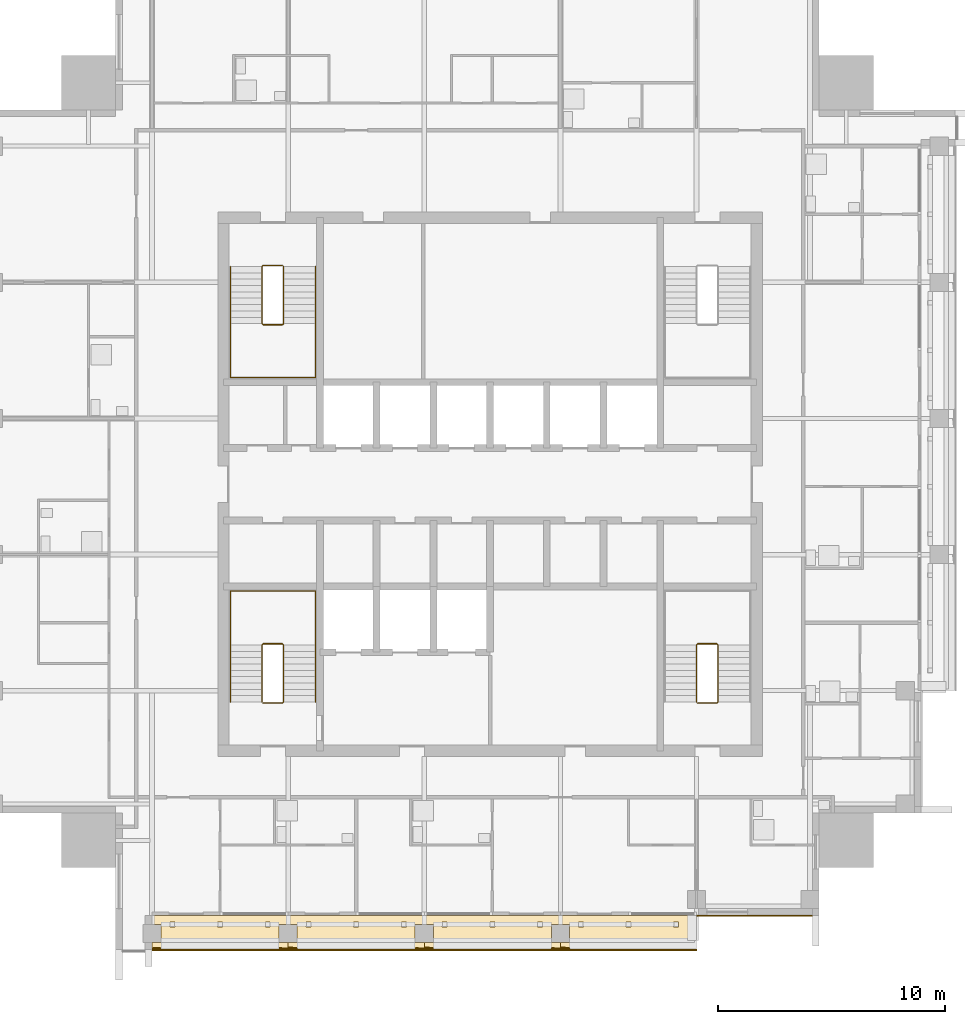
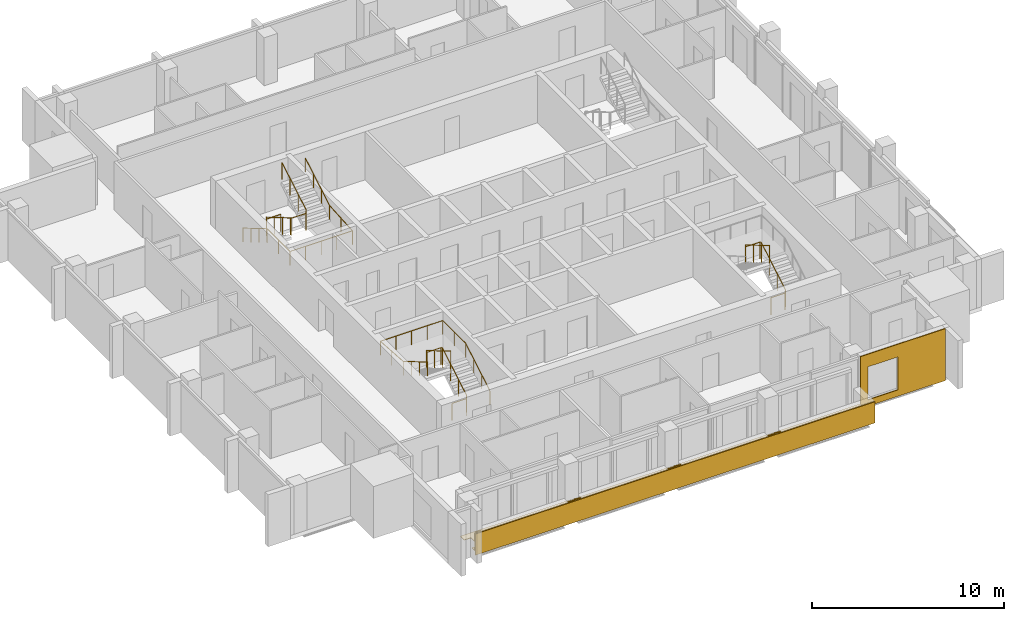
# One storey, part 13 of 15: 12 railings, 6 coverings.
"""IFC4 building model written with IfcOpenShell, lengths in metres."""

from ifc_helpers import new_model, si_unit, direction, frame, origin, origin_2d, place, context, subcontext, project, spatial, polyline, circle, outline, extrude, material, layer, layer_set, type_object, element, save


model = new_model("IFC4")

# Units and contexts
model_context = context("Model", 3, precision=1e-05, world=origin(), true_north=direction((0.0, 1.0)))
body_context = subcontext(model_context, "Body", "Model", "MODEL_VIEW")
ifc_project = project(units=[si_unit("LENGTHUNIT", "METRE"), si_unit("AREAUNIT", "SQUARE_METRE"), si_unit("VOLUMEUNIT", "CUBIC_METRE"), si_unit("PLANEANGLEUNIT", "RADIAN"), si_unit("MASSUNIT", "GRAM", prefix="KILO")], contexts=[model_context])

# Site, building, storey
site_placement = place(None, origin())
site = spatial("IfcSite", under=ifc_project, at=site_placement, CompositionType="ELEMENT")
building_placement = place(site_placement, origin())
building = spatial("IfcBuilding", under=site, at=building_placement, Name="Amberfall Residences", CompositionType="ELEMENT")
storey_placement = place(building_placement, frame((0.0, 0.0, 268.60009765625)))
storey = spatial("IfcBuildingStorey", under=building, at=storey_placement, Name="L72", CompositionType="ELEMENT", Elevation=268.60009765625)

# Coverings
ifc_material_1 = material(Name="Pale limestone cladding", Category="masonry")
ifc_layer_1 = layer(ifc_material_1, 0.050048828125)
ifc_layer_set_1 = layer_set([ifc_layer_1], Name="Limestone fascia 50")
covering_type_1 = type_object("IfcCoveringType", Name="Limestone fascia 50", PredefinedType="CLADDING", material=ifc_layer_set_1)
covering_1_placement = place(storey_placement, frame((0.0, 0.0, -0.25)))
element("IfcCovering", 1, at=covering_1_placement, inside=storey, type_object=covering_type_1, Name="Limestone terrace fascia L72 S1", PredefinedType="CLADDING", context=body_context, shape_type="SweptSolid", body=[
    extrude(outline(polyline([(59.60009765625, 25.0), (83.60009765625, 25.0), (83.60009765625, 24.949951171875), (59.60009765625, 24.949951171875), (59.60009765625, 25.0)])), origin(), (0.0, 0.0, 1.0), 1.349853515625),
])
covering_2_placement = place(storey_placement, frame((83.60009765625, 26.5, 3.0498046875), z_axis=(0.0, 1.0, 0.0), x_axis=(1.0, 0.0, 0.0)))
element("IfcCovering", 2, at=covering_2_placement, inside=storey, type_object=covering_type_1, Name="Pale limestone cladding L72 S", PredefinedType="CLADDING", context=body_context, shape_type="SweptSolid", body=[
    extrude(outline(polyline([(0.0, 0.0), (5.099853515625, 0.0), (5.099853515625, 3.2998046875), (0.0, 3.2998046875), (0.0, 0.0)]), holes=[polyline([(0.449951171875, 0.7998046875), (2.25, 0.7998046875), (2.25, 2.89990234375), (0.449951171875, 2.89990234375), (0.449951171875, 0.7998046875)])]), origin(), (0.0, 0.0, -1.0), 0.050048828125),
])
ifc_material_2 = material(Name="Pale stone paving", Category="masonry")
ifc_layer_2 = layer(ifc_material_2, 0.030029296875)
ifc_layer_set_2 = layer_set([ifc_layer_2], Name="Pale stone paving 30")
covering_type_2 = type_object("IfcCoveringType", Name="Pale stone paving 30", PredefinedType="FLOORING", material=ifc_layer_set_2)
covering_3_placement = place(storey_placement, origin())
element("IfcCovering", 3, at=covering_3_placement, inside=storey, type_object=covering_type_2, Name="Pale stone paving L72 S1", PredefinedType="FLOORING", context=body_context, shape_type="SweptSolid", body=[
    extrude(outline(polyline([(65.60009765625, 25.0), (65.60009765625, 25.300048828125), (65.199951171875, 25.300048828125), (65.199951171875, 26.10009765625), (65.60009765625, 26.10009765625), (65.60009765625, 26.5), (59.60009765625, 26.5), (59.60009765625, 26.10009765625), (60.0, 26.10009765625), (60.0, 25.300048828125), (59.60009765625, 25.300048828125), (59.60009765625, 25.0), (65.60009765625, 25.0)]), holes=[polyline([(60.389892578125, 25.989990234375), (60.610107421875, 25.989990234375), (60.610107421875, 26.2099609375), (60.389892578125, 26.2099609375), (60.389892578125, 25.989990234375)]), polyline([(62.489990234375, 25.989990234375), (62.7099609375, 25.989990234375), (62.7099609375, 26.2099609375), (62.489990234375, 26.2099609375), (62.489990234375, 25.989990234375)]), polyline([(64.590087890625, 25.989990234375), (64.81005859375, 25.989990234375), (64.81005859375, 26.2099609375), (64.590087890625, 26.2099609375), (64.590087890625, 25.989990234375)])]), origin(), (0.0, 0.0, 1.0), 0.02978515625),
])
covering_4_placement = place(storey_placement, origin())
element("IfcCovering", 4, at=covering_4_placement, inside=storey, type_object=covering_type_2, Name="Pale stone paving L72 S2", PredefinedType="FLOORING", context=body_context, shape_type="SweptSolid", body=[
    extrude(outline(polyline([(71.60009765625, 25.0), (71.60009765625, 25.300048828125), (71.199951171875, 25.300048828125), (71.199951171875, 26.10009765625), (71.60009765625, 26.10009765625), (71.60009765625, 26.5), (65.60009765625, 26.5), (65.60009765625, 26.10009765625), (66.0, 26.10009765625), (66.0, 25.300048828125), (65.60009765625, 25.300048828125), (65.60009765625, 25.0), (71.60009765625, 25.0)]), holes=[polyline([(66.389892578125, 25.989990234375), (66.610107421875, 25.989990234375), (66.610107421875, 26.2099609375), (66.389892578125, 26.2099609375), (66.389892578125, 25.989990234375)]), polyline([(68.489990234375, 25.989990234375), (68.7099609375, 25.989990234375), (68.7099609375, 26.2099609375), (68.489990234375, 26.2099609375), (68.489990234375, 25.989990234375)]), polyline([(70.590087890625, 25.989990234375), (70.81005859375, 25.989990234375), (70.81005859375, 26.2099609375), (70.590087890625, 26.2099609375), (70.590087890625, 25.989990234375)])]), origin(), (0.0, 0.0, 1.0), 0.02978515625),
])
covering_5_placement = place(storey_placement, origin())
element("IfcCovering", 5, at=covering_5_placement, inside=storey, type_object=covering_type_2, Name="Pale stone paving L72 S3", PredefinedType="FLOORING", context=body_context, shape_type="SweptSolid", body=[
    extrude(outline(polyline([(77.60009765625, 25.0), (77.60009765625, 25.300048828125), (77.199951171875, 25.300048828125), (77.199951171875, 26.10009765625), (77.60009765625, 26.10009765625), (77.60009765625, 26.5), (71.60009765625, 26.5), (71.60009765625, 26.10009765625), (72.0, 26.10009765625), (72.0, 25.300048828125), (71.60009765625, 25.300048828125), (71.60009765625, 25.0), (77.60009765625, 25.0)]), holes=[polyline([(72.389892578125, 25.989990234375), (72.610107421875, 25.989990234375), (72.610107421875, 26.2099609375), (72.389892578125, 26.2099609375), (72.389892578125, 25.989990234375)]), polyline([(74.489990234375, 25.989990234375), (74.7099609375, 25.989990234375), (74.7099609375, 26.2099609375), (74.489990234375, 26.2099609375), (74.489990234375, 25.989990234375)]), polyline([(76.590087890625, 25.989990234375), (76.81005859375, 25.989990234375), (76.81005859375, 26.2099609375), (76.590087890625, 26.2099609375), (76.590087890625, 25.989990234375)])]), origin(), (0.0, 0.0, 1.0), 0.02978515625),
])
covering_6_placement = place(storey_placement, origin())
element("IfcCovering", 6, at=covering_6_placement, inside=storey, type_object=covering_type_2, Name="Pale stone paving L72 S4", PredefinedType="FLOORING", context=body_context, shape_type="SweptSolid", body=[
    extrude(outline(polyline([(77.60009765625, 26.5), (77.60009765625, 26.10009765625), (78.0, 26.10009765625), (78.0, 25.300048828125), (77.60009765625, 25.300048828125), (77.60009765625, 25.0), (83.60009765625, 25.0), (83.60009765625, 26.5), (77.60009765625, 26.5)]), holes=[polyline([(78.389892578125, 25.989990234375), (78.610107421875, 25.989990234375), (78.610107421875, 26.2099609375), (78.389892578125, 26.2099609375), (78.389892578125, 25.989990234375)]), polyline([(80.489990234375, 25.989990234375), (80.7099609375, 25.989990234375), (80.7099609375, 26.2099609375), (80.489990234375, 26.2099609375), (80.489990234375, 25.989990234375)]), polyline([(82.590087890625, 25.989990234375), (82.81005859375, 25.989990234375), (82.81005859375, 26.2099609375), (82.590087890625, 26.2099609375), (82.590087890625, 25.989990234375)])]), origin(), (0.0, 0.0, 1.0), 0.02978515625),
])

# Railings
ifc_material_3 = material(Name="Stainless steel 316", Category="steel")
railing_type_1 = type_object("IfcRailingType", Name="Stair guard 1100", PredefinedType="GUARDRAIL", material=ifc_material_3)
railing_1_placement = place(storey_placement, frame((64.5, 35.85009765625, 0.0)))
element("IfcRailing", 7, at=railing_1_placement, inside=storey, type_object=railing_type_1, Name="L72 stair 1 guard", PredefinedType="GUARDRAIL", context=body_context, shape_type="SweptSolid", body=[
    extrude(circle(Radius=0.02392578125, at=origin_2d()), frame((0.0, 0.0, 1.076171875), z_axis=(1.0, 0.0, 0.0), x_axis=(0.0, 1.0, 0.0)), (0.0, 0.0, 1.0), 0.85009765625),
    extrude(circle(Radius=0.02392578125, at=origin_2d()), frame((0.85009765625, 0.0, 1.076171875), z_axis=(0.277903107438, 0.277903107438, 0.919532340787), x_axis=(-0.707106781187, 0.707106781187, 0.0)), (0.0, 0.0, 1.0), 0.17919921875),
    extrude(circle(Radius=0.02392578125, at=origin_2d()), frame((0.89990234375, 0.0498046875, 1.24072265625), z_axis=(0.0, 0.86152411907, 0.507716645641), x_axis=(-1.0, 0.0, 0.0)), (0.0, 0.0, 1.0), 2.925048828125),
    extrude(circle(Radius=0.02392578125, at=origin_2d()), frame((0.89990234375, 2.56982421875, 2.72607421875), z_axis=(-0.705375805398, 0.708833529934, 0.0), x_axis=(-0.708833529934, -0.705375805398, 0.0)), (0.0, 0.0, 1.0), 0.070556640625),
    extrude(circle(Radius=0.02392578125, at=origin_2d()), frame((0.85009765625, 2.619873046875, 2.72607421875), z_axis=(-1.0, 0.0, 0.0), x_axis=(0.0, -1.0, 0.0)), (0.0, 0.0, 1.0), 0.85009765625),
    extrude(circle(Radius=0.02392578125, at=origin_2d()), frame((0.0, 2.619873046875, 2.72607421875), z_axis=(-0.278705021027, -0.278705021027, 0.919046801044), x_axis=(0.707106781187, -0.707106781187, 0.0)), (0.0, 0.0, 1.0), 0.1796875),
    extrude(circle(Radius=0.02392578125, at=origin_2d()), frame((-0.050048828125, 2.56982421875, 2.89111328125), z_axis=(0.0, -0.861560626758, 0.507654692109), x_axis=(1.0, 0.0, 0.0)), (0.0, 0.0, 1.0), 2.925048828125),
    extrude(circle(Radius=0.02099609375, at=origin_2d()), origin(), (0.0, 0.0, 1.0), 1.052001953125),
    extrude(circle(Radius=0.02099609375, at=origin_2d()), frame((0.85009765625, 0.0, 0.0)), (0.0, 0.0, 1.0), 1.052001953125),
    extrude(circle(Radius=0.02099609375, at=origin_2d()), frame((0.89990234375, 0.0498046875, 0.164794921875)), (0.0, 0.0, 1.0), 1.052001953125),
    extrude(circle(Radius=0.02099609375, at=origin_2d()), frame((0.89990234375, 0.889892578125, 0.659912109375)), (0.0, 0.0, 1.0), 1.052001953125),
    extrude(circle(Radius=0.02099609375, at=origin_2d()), frame((0.89990234375, 1.729736328125, 1.15478515625)), (0.0, 0.0, 1.0), 1.052001953125),
    extrude(circle(Radius=0.02099609375, at=origin_2d()), frame((0.89990234375, 2.56982421875, 1.64990234375)), (0.0, 0.0, 1.0), 1.052001953125),
    extrude(circle(Radius=0.02099609375, at=origin_2d()), frame((0.85009765625, 2.619873046875, 1.64990234375)), (0.0, 0.0, 1.0), 1.052001953125),
    extrude(circle(Radius=0.02099609375, at=origin_2d()), frame((0.0, 2.619873046875, 1.64990234375)), (0.0, 0.0, 1.0), 1.052001953125),
    extrude(circle(Radius=0.02099609375, at=origin_2d()), frame((-0.050048828125, 2.56982421875, 1.81494140625)), (0.0, 0.0, 1.0), 1.052001953125),
    extrude(circle(Radius=0.02099609375, at=origin_2d()), frame((-0.050048828125, 1.729736328125, 2.309814453125)), (0.0, 0.0, 1.0), 1.052001953125),
    extrude(circle(Radius=0.02099609375, at=origin_2d()), frame((-0.050048828125, 0.889892578125, 2.804931640625)), (0.0, 0.0, 1.0), 1.052001953125),
    extrude(circle(Radius=0.02099609375, at=origin_2d()), frame((-0.050048828125, 0.0498046875, 3.2998046875)), (0.0, 0.0, 1.0), 1.052001953125),
])
railing_2_placement = place(storey_placement, frame((83.64990234375, 35.85009765625, 0.0)))
element("IfcRailing", 8, at=railing_2_placement, inside=storey, type_object=railing_type_1, Name="L72 stair 2 guard", PredefinedType="GUARDRAIL", context=body_context, shape_type="SweptSolid", body=[
    extrude(circle(Radius=0.02392578125, at=origin_2d()), frame((0.0, 0.0, 1.076171875), z_axis=(1.0, 0.0, 0.0), x_axis=(0.0, 1.0, 0.0)), (0.0, 0.0, 1.0), 0.85009765625),
    extrude(circle(Radius=0.02392578125, at=origin_2d()), frame((0.85009765625, 0.0, 1.076171875), z_axis=(0.279159454702, 0.277797701265, 0.919183570361), x_axis=(-0.705375805398, 0.708833529934, 0.0)), (0.0, 0.0, 1.0), 0.17919921875),
    extrude(circle(Radius=0.02392578125, at=origin_2d()), frame((0.900146484375, 0.0498046875, 1.24072265625), z_axis=(0.0, 0.86152411907, 0.507716645641), x_axis=(-1.0, 0.0, 0.0)), (0.0, 0.0, 1.0), 2.925048828125),
    extrude(circle(Radius=0.02392578125, at=origin_2d()), frame((0.900146484375, 2.56982421875, 2.72607421875), z_axis=(-0.707106781187, 0.707106781187, 0.0), x_axis=(-0.707106781187, -0.707106781187, 0.0)), (0.0, 0.0, 1.0), 0.07080078125),
    extrude(circle(Radius=0.02392578125, at=origin_2d()), frame((0.85009765625, 2.619873046875, 2.72607421875), z_axis=(-1.0, 0.0, 0.0), x_axis=(0.0, -1.0, 0.0)), (0.0, 0.0, 1.0), 0.85009765625),
    extrude(circle(Radius=0.02392578125, at=origin_2d()), frame((0.0, 2.619873046875, 2.72607421875), z_axis=(-0.277450376394, -0.278810427259, 0.919394384522), x_axis=(0.708833529934, -0.705375805398, 0.0)), (0.0, 0.0, 1.0), 0.179443359375),
    extrude(circle(Radius=0.02392578125, at=origin_2d()), frame((-0.0498046875, 2.56982421875, 2.89111328125), z_axis=(0.0, -0.861560626758, 0.507654692109), x_axis=(1.0, 0.0, 0.0)), (0.0, 0.0, 1.0), 2.925048828125),
    extrude(circle(Radius=0.02099609375, at=origin_2d()), origin(), (0.0, 0.0, 1.0), 1.052001953125),
    extrude(circle(Radius=0.02099609375, at=origin_2d()), frame((0.85009765625, 0.0, 0.0)), (0.0, 0.0, 1.0), 1.052001953125),
    extrude(circle(Radius=0.02099609375, at=origin_2d()), frame((0.900146484375, 0.0498046875, 0.164794921875)), (0.0, 0.0, 1.0), 1.052001953125),
    extrude(circle(Radius=0.02099609375, at=origin_2d()), frame((0.900146484375, 0.889892578125, 0.659912109375)), (0.0, 0.0, 1.0), 1.052001953125),
    extrude(circle(Radius=0.02099609375, at=origin_2d()), frame((0.900146484375, 1.729736328125, 1.15478515625)), (0.0, 0.0, 1.0), 1.052001953125),
    extrude(circle(Radius=0.02099609375, at=origin_2d()), frame((0.900146484375, 2.56982421875, 1.64990234375)), (0.0, 0.0, 1.0), 1.052001953125),
    extrude(circle(Radius=0.02099609375, at=origin_2d()), frame((0.85009765625, 2.619873046875, 1.64990234375)), (0.0, 0.0, 1.0), 1.052001953125),
    extrude(circle(Radius=0.02099609375, at=origin_2d()), frame((0.0, 2.619873046875, 1.64990234375)), (0.0, 0.0, 1.0), 1.052001953125),
    extrude(circle(Radius=0.02099609375, at=origin_2d()), frame((-0.0498046875, 2.56982421875, 1.81494140625)), (0.0, 0.0, 1.0), 1.052001953125),
    extrude(circle(Radius=0.02099609375, at=origin_2d()), frame((-0.0498046875, 1.729736328125, 2.309814453125)), (0.0, 0.0, 1.0), 1.052001953125),
    extrude(circle(Radius=0.02099609375, at=origin_2d()), frame((-0.0498046875, 0.889892578125, 2.804931640625)), (0.0, 0.0, 1.0), 1.052001953125),
    extrude(circle(Radius=0.02099609375, at=origin_2d()), frame((-0.0498046875, 0.0498046875, 3.2998046875)), (0.0, 0.0, 1.0), 1.052001953125),
])
railing_3_placement = place(storey_placement, frame((65.35009765625, 55.14990234375, 0.0)))
element("IfcRailing", 9, at=railing_3_placement, inside=storey, type_object=railing_type_1, Name="L72 stair 4 guard", PredefinedType="GUARDRAIL", context=body_context, shape_type="SweptSolid", body=[
    extrude(circle(Radius=0.02392578125, at=origin_2d()), frame((0.0, 0.0, 1.076171875), z_axis=(-1.0, 0.0, 0.0), x_axis=(0.0, -1.0, 0.0)), (0.0, 0.0, 1.0), 0.85009765625),
    extrude(circle(Radius=0.02392578125, at=origin_2d()), frame((-0.85009765625, 0.0, 1.076171875), z_axis=(-0.279159454702, -0.277797701265, 0.919183570361), x_axis=(0.705375805398, -0.708833529934, 0.0)), (0.0, 0.0, 1.0), 0.17919921875),
    extrude(circle(Radius=0.02392578125, at=origin_2d()), frame((-0.900146484375, -0.0498046875, 1.24072265625), z_axis=(0.0, -0.86152411907, 0.507716645641), x_axis=(1.0, 0.0, 0.0)), (0.0, 0.0, 1.0), 2.925048828125),
    extrude(circle(Radius=0.02392578125, at=origin_2d()), frame((-0.900146484375, -2.56982421875, 2.72607421875), z_axis=(0.707106781187, -0.707106781187, 0.0), x_axis=(0.707106781187, 0.707106781187, 0.0)), (0.0, 0.0, 1.0), 0.07080078125),
    extrude(circle(Radius=0.02392578125, at=origin_2d()), frame((-0.85009765625, -2.619873046875, 2.72607421875), z_axis=(1.0, 0.0, 0.0), x_axis=(0.0, 1.0, 0.0)), (0.0, 0.0, 1.0), 0.85009765625),
    extrude(circle(Radius=0.02392578125, at=origin_2d()), frame((0.0, -2.619873046875, 2.72607421875), z_axis=(0.277450376394, 0.278810427259, 0.919394384522), x_axis=(-0.708833529934, 0.705375805398, 0.0)), (0.0, 0.0, 1.0), 0.179443359375),
    extrude(circle(Radius=0.02392578125, at=origin_2d()), frame((0.0498046875, -2.56982421875, 2.89111328125), z_axis=(0.0, 0.861560626758, 0.507654692109), x_axis=(-1.0, 0.0, 0.0)), (0.0, 0.0, 1.0), 2.925048828125),
    extrude(circle(Radius=0.02099609375, at=origin_2d()), origin(), (0.0, 0.0, 1.0), 1.052001953125),
    extrude(circle(Radius=0.02099609375, at=origin_2d()), frame((-0.85009765625, 0.0, 0.0)), (0.0, 0.0, 1.0), 1.052001953125),
    extrude(circle(Radius=0.02099609375, at=origin_2d()), frame((-0.900146484375, -0.0498046875, 0.164794921875)), (0.0, 0.0, 1.0), 1.052001953125),
    extrude(circle(Radius=0.02099609375, at=origin_2d()), frame((-0.900146484375, -0.889892578125, 0.659912109375)), (0.0, 0.0, 1.0), 1.052001953125),
    extrude(circle(Radius=0.02099609375, at=origin_2d()), frame((-0.900146484375, -1.729736328125, 1.15478515625)), (0.0, 0.0, 1.0), 1.052001953125),
    extrude(circle(Radius=0.02099609375, at=origin_2d()), frame((-0.900146484375, -2.56982421875, 1.64990234375)), (0.0, 0.0, 1.0), 1.052001953125),
    extrude(circle(Radius=0.02099609375, at=origin_2d()), frame((-0.85009765625, -2.619873046875, 1.64990234375)), (0.0, 0.0, 1.0), 1.052001953125),
    extrude(circle(Radius=0.02099609375, at=origin_2d()), frame((0.0, -2.619873046875, 1.64990234375)), (0.0, 0.0, 1.0), 1.052001953125),
    extrude(circle(Radius=0.02099609375, at=origin_2d()), frame((0.0498046875, -2.56982421875, 1.81494140625)), (0.0, 0.0, 1.0), 1.052001953125),
    extrude(circle(Radius=0.02099609375, at=origin_2d()), frame((0.0498046875, -1.729736328125, 2.309814453125)), (0.0, 0.0, 1.0), 1.052001953125),
    extrude(circle(Radius=0.02099609375, at=origin_2d()), frame((0.0498046875, -0.889892578125, 2.804931640625)), (0.0, 0.0, 1.0), 1.052001953125),
    extrude(circle(Radius=0.02099609375, at=origin_2d()), frame((0.0498046875, -0.0498046875, 3.2998046875)), (0.0, 0.0, 1.0), 1.052001953125),
])
railing_type_2 = type_object("IfcRailingType", Name="Stair handrail 900", PredefinedType="HANDRAIL", material=ifc_material_3)
railing_4_placement = place(storey_placement, frame((66.800048828125, 35.89990234375, 0.164794921875)))
element("IfcRailing", 10, at=railing_4_placement, inside=storey, type_object=railing_type_2, Name="L72 stair 1 handrail", PredefinedType="HANDRAIL", context=body_context, shape_type="SweptSolid", body=[
    extrude(circle(Radius=0.02392578125, at=origin_2d()), frame((0.0, 0.0, 0.8759765625), z_axis=(0.0, 0.86152411907, 0.507716645641), x_axis=(-1.0, 0.0, 0.0)), (0.0, 0.0, 1.0), 2.925048828125),
    extrude(circle(Radius=0.02392578125, at=origin_2d()), frame((0.0, 2.52001953125, 2.36083984375), z_axis=(0.0, 1.0, 0.0), x_axis=(-1.0, 0.0, 0.0)), (0.0, 0.0, 1.0), 2.380126953125),
    extrude(circle(Radius=0.02392578125, at=origin_2d()), frame((0.0, 4.900146484375, 2.36083984375), z_axis=(-1.0, 0.0, 0.0), x_axis=(0.0, -1.0, 0.0)), (0.0, 0.0, 1.0), 3.75),
    extrude(circle(Radius=0.02392578125, at=origin_2d()), frame((-3.75, 4.900146484375, 2.36083984375), z_axis=(0.0, -0.997604585917, 0.069174346095), x_axis=(1.0, 0.0, 0.0)), (0.0, 0.0, 1.0), 2.3857421875),
    extrude(circle(Radius=0.02392578125, at=origin_2d()), frame((-3.75, 2.52001953125, 2.52587890625), z_axis=(0.0, -0.861560626758, 0.507654692109), x_axis=(1.0, 0.0, 0.0)), (0.0, 0.0, 1.0), 2.925048828125),
    extrude(circle(Radius=0.02099609375, at=origin_2d()), origin(), (0.0, 0.0, 1.0), 0.851806640625),
    extrude(circle(Radius=0.02099609375, at=origin_2d()), frame((0.0, 0.840087890625, 0.4951171875)), (0.0, 0.0, 1.0), 0.851806640625),
    extrude(circle(Radius=0.02099609375, at=origin_2d()), frame((0.0, 1.679931640625, 0.989990234375)), (0.0, 0.0, 1.0), 0.851806640625),
    extrude(circle(Radius=0.02099609375, at=origin_2d()), frame((0.0, 2.52001953125, 1.485107421875)), (0.0, 0.0, 1.0), 0.851806640625),
    extrude(circle(Radius=0.02099609375, at=origin_2d()), frame((0.0, 3.7099609375, 1.485107421875)), (0.0, 0.0, 1.0), 0.851806640625),
    extrude(circle(Radius=0.02099609375, at=origin_2d()), frame((0.0, 4.900146484375, 1.485107421875)), (0.0, 0.0, 1.0), 0.851806640625),
    extrude(circle(Radius=0.02099609375, at=origin_2d()), frame((-0.9375, 4.900146484375, 1.485107421875)), (0.0, 0.0, 1.0), 0.851806640625),
    extrude(circle(Radius=0.02099609375, at=origin_2d()), frame((-1.875, 4.900146484375, 1.485107421875)), (0.0, 0.0, 1.0), 0.851806640625),
    extrude(circle(Radius=0.02099609375, at=origin_2d()), frame((-2.8125, 4.900146484375, 1.485107421875)), (0.0, 0.0, 1.0), 0.851806640625),
    extrude(circle(Radius=0.02099609375, at=origin_2d()), frame((-3.75, 4.900146484375, 1.485107421875)), (0.0, 0.0, 1.0), 0.851806640625),
    extrude(circle(Radius=0.02099609375, at=origin_2d()), frame((-3.75, 3.7099609375, 1.567626953125)), (0.0, 0.0, 1.0), 0.851806640625),
    extrude(circle(Radius=0.02099609375, at=origin_2d()), frame((-3.75, 2.52001953125, 1.650146484375)), (0.0, 0.0, 1.0), 0.851806640625),
    extrude(circle(Radius=0.02099609375, at=origin_2d()), frame((-3.75, 1.679931640625, 2.14501953125)), (0.0, 0.0, 1.0), 0.851806640625),
    extrude(circle(Radius=0.02099609375, at=origin_2d()), frame((-3.75, 0.840087890625, 2.64013671875)), (0.0, 0.0, 1.0), 0.851806640625),
    extrude(circle(Radius=0.02099609375, at=origin_2d()), frame((-3.75, 0.0, 3.135009765625)), (0.0, 0.0, 1.0), 0.851806640625),
])
railing_5_placement = place(storey_placement, frame((63.050048828125, 55.10009765625, 0.164794921875)))
element("IfcRailing", 11, at=railing_5_placement, inside=storey, type_object=railing_type_2, Name="L72 stair 4 handrail", PredefinedType="HANDRAIL", context=body_context, shape_type="SweptSolid", body=[
    extrude(circle(Radius=0.02392578125, at=origin_2d()), frame((0.0, 0.0, 0.8759765625), z_axis=(0.0, -0.86152411907, 0.507716645641), x_axis=(1.0, 0.0, 0.0)), (0.0, 0.0, 1.0), 2.925048828125),
    extrude(circle(Radius=0.02392578125, at=origin_2d()), frame((0.0, -2.52001953125, 2.36083984375), z_axis=(0.0, -1.0, 0.0), x_axis=(1.0, 0.0, 0.0)), (0.0, 0.0, 1.0), 2.380126953125),
    extrude(circle(Radius=0.02392578125, at=origin_2d()), frame((0.0, -4.900146484375, 2.36083984375), z_axis=(1.0, 0.0, 0.0), x_axis=(0.0, 1.0, 0.0)), (0.0, 0.0, 1.0), 3.75),
    extrude(circle(Radius=0.02392578125, at=origin_2d()), frame((3.75, -4.900146484375, 2.36083984375), z_axis=(0.0, 0.997604585917, 0.069174346095), x_axis=(-1.0, 0.0, 0.0)), (0.0, 0.0, 1.0), 2.3857421875),
    extrude(circle(Radius=0.02392578125, at=origin_2d()), frame((3.75, -2.52001953125, 2.52587890625), z_axis=(0.0, 0.861560626758, 0.507654692109), x_axis=(-1.0, 0.0, 0.0)), (0.0, 0.0, 1.0), 2.925048828125),
    extrude(circle(Radius=0.02099609375, at=origin_2d()), origin(), (0.0, 0.0, 1.0), 0.851806640625),
    extrude(circle(Radius=0.02099609375, at=origin_2d()), frame((0.0, -0.840087890625, 0.4951171875)), (0.0, 0.0, 1.0), 0.851806640625),
    extrude(circle(Radius=0.02099609375, at=origin_2d()), frame((0.0, -1.679931640625, 0.989990234375)), (0.0, 0.0, 1.0), 0.851806640625),
    extrude(circle(Radius=0.02099609375, at=origin_2d()), frame((0.0, -2.52001953125, 1.485107421875)), (0.0, 0.0, 1.0), 0.851806640625),
    extrude(circle(Radius=0.02099609375, at=origin_2d()), frame((0.0, -3.7099609375, 1.485107421875)), (0.0, 0.0, 1.0), 0.851806640625),
    extrude(circle(Radius=0.02099609375, at=origin_2d()), frame((0.0, -4.900146484375, 1.485107421875)), (0.0, 0.0, 1.0), 0.851806640625),
    extrude(circle(Radius=0.02099609375, at=origin_2d()), frame((0.9375, -4.900146484375, 1.485107421875)), (0.0, 0.0, 1.0), 0.851806640625),
    extrude(circle(Radius=0.02099609375, at=origin_2d()), frame((1.875, -4.900146484375, 1.485107421875)), (0.0, 0.0, 1.0), 0.851806640625),
    extrude(circle(Radius=0.02099609375, at=origin_2d()), frame((2.8125, -4.900146484375, 1.485107421875)), (0.0, 0.0, 1.0), 0.851806640625),
    extrude(circle(Radius=0.02099609375, at=origin_2d()), frame((3.75, -4.900146484375, 1.485107421875)), (0.0, 0.0, 1.0), 0.851806640625),
    extrude(circle(Radius=0.02099609375, at=origin_2d()), frame((3.75, -3.7099609375, 1.567626953125)), (0.0, 0.0, 1.0), 0.851806640625),
    extrude(circle(Radius=0.02099609375, at=origin_2d()), frame((3.75, -2.52001953125, 1.650146484375)), (0.0, 0.0, 1.0), 0.851806640625),
    extrude(circle(Radius=0.02099609375, at=origin_2d()), frame((3.75, -1.679931640625, 2.14501953125)), (0.0, 0.0, 1.0), 0.851806640625),
    extrude(circle(Radius=0.02099609375, at=origin_2d()), frame((3.75, -0.840087890625, 2.64013671875)), (0.0, 0.0, 1.0), 0.851806640625),
    extrude(circle(Radius=0.02099609375, at=origin_2d()), frame((3.75, 0.0, 3.135009765625)), (0.0, 0.0, 1.0), 0.851806640625),
])
ifc_material_4 = material(Name="Bronze anodised aluminium and laminated glass", Category="aluminium")
railing_type_3 = type_object("IfcRailingType", Name="Terrace edge guard 1100", PredefinedType="GUARDRAIL", material=ifc_material_4)
railing_6_placement = place(storey_placement, frame((59.650390625, 25.0400390625, 0.02978515625)))
element("IfcRailing", 12, at=railing_6_placement, inside=storey, type_object=railing_type_3, Name="Terrace guard L72 S1", PredefinedType="GUARDRAIL", context=body_context, shape_type="SweptSolid", body=[
    extrude(circle(Radius=0.02392578125, at=origin_2d()), frame((0.0, 0.0, 1.076171875), z_axis=(1.0, 0.0, 0.0), x_axis=(0.0, 1.0, 0.0)), (0.0, 0.0, 1.0), 0.310791015625),
    extrude(circle(Radius=0.02099609375, at=origin_2d()), origin(), (0.0, 0.0, 1.0), 1.052001953125),
    extrude(circle(Radius=0.02099609375, at=origin_2d()), frame((0.310791015625, 0.0, 0.0)), (0.0, 0.0, 1.0), 1.052001953125),
])
railing_7_placement = place(storey_placement, frame((65.21875, 25.0400390625, 0.02978515625)))
element("IfcRailing", 13, at=railing_7_placement, inside=storey, type_object=railing_type_3, Name="Terrace guard L72 S1", PredefinedType="GUARDRAIL", context=body_context, shape_type="SweptSolid", body=[
    extrude(circle(Radius=0.02392578125, at=origin_2d()), frame((0.0, 0.0, 1.076171875), z_axis=(0.999570222842, -0.029315006535, 0.0), x_axis=(0.029315006535, 0.999570222842, 0.0)), (0.0, 0.0, 1.0), 0.341552734375),
    extrude(circle(Radius=0.02099609375, at=origin_2d()), origin(), (0.0, 0.0, 1.0), 1.052001953125),
    extrude(circle(Radius=0.02099609375, at=origin_2d()), frame((0.34130859375, -0.010009765625, 0.0)), (0.0, 0.0, 1.0), 1.052001953125),
])
railing_8_placement = place(storey_placement, frame((65.639892578125, 25.080078125, 0.02978515625)))
element("IfcRailing", 14, at=railing_8_placement, inside=storey, type_object=railing_type_3, Name="Terrace guard L72 S2", PredefinedType="GUARDRAIL", context=body_context, shape_type="SweptSolid", body=[
    extrude(circle(Radius=0.02392578125, at=origin_2d()), frame((0.0, 0.0, 1.076171875), z_axis=(0.993140867756, -0.116923978688, 0.0), x_axis=(0.116923978688, 0.993140867756, 0.0)), (0.0, 0.0, 1.0), 0.342529296875),
    extrude(circle(Radius=0.02099609375, at=origin_2d()), origin(), (0.0, 0.0, 1.0), 1.052001953125),
    extrude(circle(Radius=0.02099609375, at=origin_2d()), frame((0.340087890625, -0.0400390625, 0.0)), (0.0, 0.0, 1.0), 1.052001953125),
])
railing_9_placement = place(storey_placement, frame((71.219970703125, 25.0400390625, 0.02978515625)))
element("IfcRailing", 15, at=railing_9_placement, inside=storey, type_object=railing_type_3, Name="Terrace guard L72 S2", PredefinedType="GUARDRAIL", context=body_context, shape_type="SweptSolid", body=[
    extrude(circle(Radius=0.02392578125, at=origin_2d()), frame((0.0, 0.0, 1.076171875), z_axis=(0.999567134048, -0.029420138188, 0.0), x_axis=(0.029420138188, 0.999567134048, 0.0)), (0.0, 0.0, 1.0), 0.34033203125),
    extrude(circle(Radius=0.02099609375, at=origin_2d()), origin(), (0.0, 0.0, 1.0), 1.052001953125),
    extrude(circle(Radius=0.02099609375, at=origin_2d()), frame((0.340087890625, -0.010009765625, 0.0)), (0.0, 0.0, 1.0), 1.052001953125),
])
railing_10_placement = place(storey_placement, frame((71.639892578125, 25.080078125, 0.02978515625)))
element("IfcRailing", 16, at=railing_10_placement, inside=storey, type_object=railing_type_3, Name="Terrace guard L72 S3", PredefinedType="GUARDRAIL", context=body_context, shape_type="SweptSolid", body=[
    extrude(circle(Radius=0.02392578125, at=origin_2d()), frame((0.0, 0.0, 1.076171875), z_axis=(0.993140867756, -0.116923978688, 0.0), x_axis=(0.116923978688, 0.993140867756, 0.0)), (0.0, 0.0, 1.0), 0.342529296875),
    extrude(circle(Radius=0.02099609375, at=origin_2d()), origin(), (0.0, 0.0, 1.0), 1.052001953125),
    extrude(circle(Radius=0.02099609375, at=origin_2d()), frame((0.340087890625, -0.0400390625, 0.0)), (0.0, 0.0, 1.0), 1.052001953125),
])
railing_11_placement = place(storey_placement, frame((77.219970703125, 25.0400390625, 0.02978515625)))
element("IfcRailing", 17, at=railing_11_placement, inside=storey, type_object=railing_type_3, Name="Terrace guard L72 S3", PredefinedType="GUARDRAIL", context=body_context, shape_type="SweptSolid", body=[
    extrude(circle(Radius=0.02392578125, at=origin_2d()), frame((0.0, 0.0, 1.076171875), z_axis=(0.999567134048, -0.029420138188, 0.0), x_axis=(0.029420138188, 0.999567134048, 0.0)), (0.0, 0.0, 1.0), 0.34033203125),
    extrude(circle(Radius=0.02099609375, at=origin_2d()), origin(), (0.0, 0.0, 1.0), 1.052001953125),
    extrude(circle(Radius=0.02099609375, at=origin_2d()), frame((0.340087890625, -0.010009765625, 0.0)), (0.0, 0.0, 1.0), 1.052001953125),
])
railing_12_placement = place(storey_placement, frame((77.639892578125, 25.080078125, 0.02978515625)))
element("IfcRailing", 18, at=railing_12_placement, inside=storey, type_object=railing_type_3, Name="Terrace guard L72 S4", PredefinedType="GUARDRAIL", context=body_context, shape_type="SweptSolid", body=[
    extrude(circle(Radius=0.02392578125, at=origin_2d()), frame((0.0, 0.0, 1.076171875), z_axis=(0.993140867756, -0.116923978688, 0.0), x_axis=(0.116923978688, 0.993140867756, 0.0)), (0.0, 0.0, 1.0), 0.342529296875),
    extrude(circle(Radius=0.02099609375, at=origin_2d()), origin(), (0.0, 0.0, 1.0), 1.052001953125),
    extrude(circle(Radius=0.02099609375, at=origin_2d()), frame((0.340087890625, -0.0400390625, 0.0)), (0.0, 0.0, 1.0), 1.052001953125),
])

save(model, "model.ifc")
